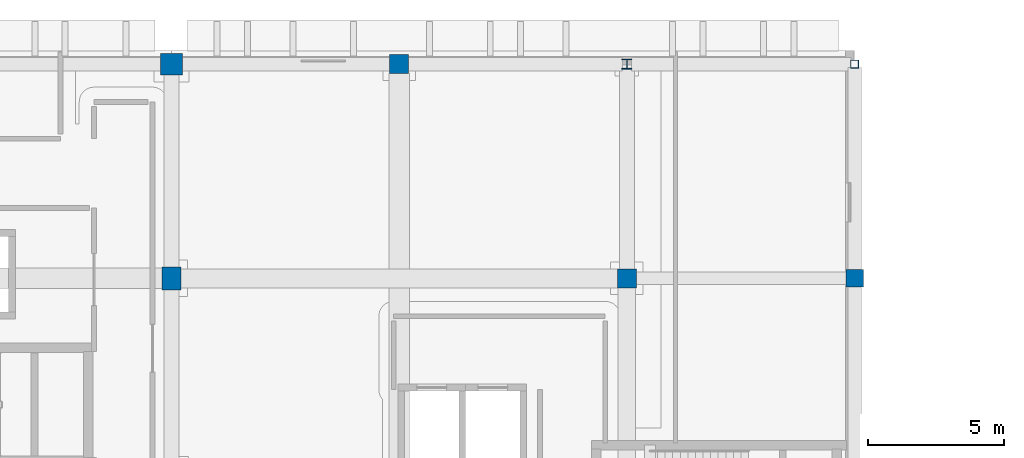
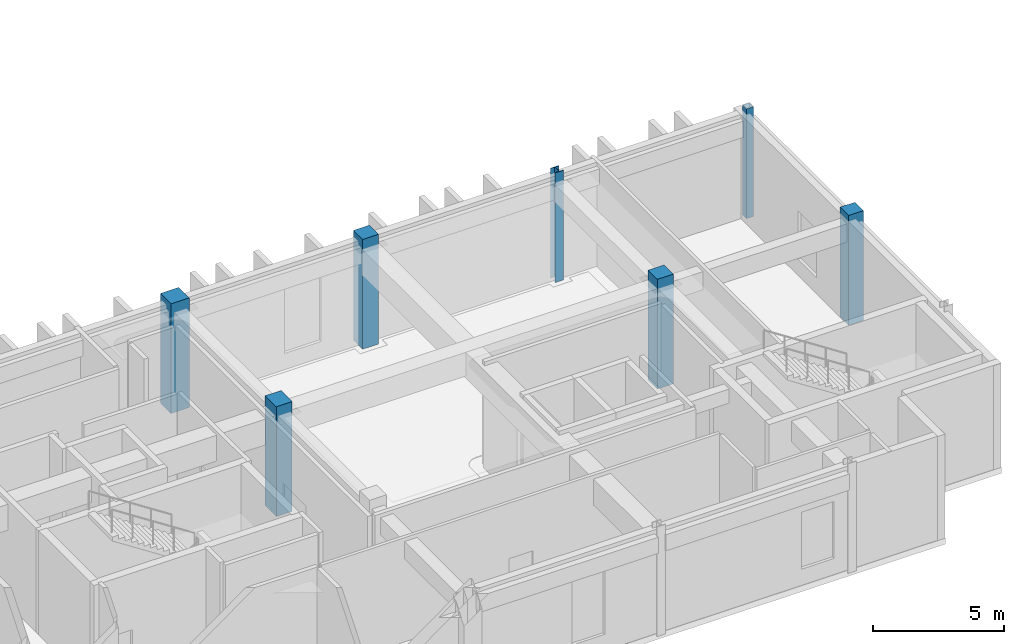
# One storey, part 8 of 78: 7 columns.
"""IFC4 building model written with IfcOpenShell, lengths in metres."""

import ifcopenshell
import ifcopenshell.guid

model = None  # the IFC model being written
_history = None  # IfcOwnerHistory: only IFC2X3 demands one
_inside = {}  # id of a spatial element -> (the spatial element, [elements in it])
_under = {}  # id of a project, library or spatial element -> (it, [spatial elements below it])
_declared = {}  # id of a project -> (the project, [libraries it declares])
_typed = {}  # id of a type object -> (the type object, [elements of that type])
_made_of = {}  # id of a material, layer set ... -> (it, [elements and type objects made of it])


def new_model(schema):
    """Start an empty IFC model of exactly this schema.

    Asked for "IFC4X3", IfcOpenShell would pick the latest addendum, in which some entities
    have other attributes; the version numbers below select the first issue.
    IFC2X3 requires an IfcOwnerHistory on every rooted entity: one is made here for all.
    """
    global model, _history
    if schema == "IFC4X3":
        model = ifcopenshell.file(schema_version=(4, 3, 0, 0))
    else:
        model = ifcopenshell.file(schema=schema)
    _inside.clear()
    _under.clear()
    _declared.clear()
    _typed.clear()
    _made_of.clear()
    _history = None
    if model.schema == "IFC2X3":
        org = make("IfcOrganization", Name="unknown")
        user = make(
            "IfcPersonAndOrganization",
            ThePerson=make("IfcPerson", FamilyName="unknown"),
            TheOrganization=org,
        )
        app = make(
            "IfcApplication",
            ApplicationDeveloper=org,
            Version="unknown",
            ApplicationFullName="unknown",
            ApplicationIdentifier="unknown",
        )
        _history = make(
            "IfcOwnerHistory",
            OwningUser=user,
            OwningApplication=app,
            ChangeAction="ADDED",
            CreationDate=0,
        )
    return model


def make(cls, **values):
    """One entity of the class cls with the attributes given. An attribute that is None is left unset."""
    return model.create_entity(
        cls, **{name: value for name, value in values.items() if value is not None}
    )


def rooted(cls, **values):
    """An entity with a GlobalId (a new one), such as an element, a storey or a relation."""
    return make(cls, GlobalId=ifcopenshell.guid.new(), OwnerHistory=_history, **values)


def si_unit(unit_type, name, prefix=None):
    """IfcSIUnit, for example si_unit("LENGTHUNIT", "METRE", prefix="MILLI")."""
    return make("IfcSIUnit", UnitType=unit_type, Prefix=prefix, Name=name)


def assignment(units):
    """IfcUnitAssignment: the units of a project."""
    return None if units is None else make("IfcUnitAssignment", Units=units)


def point(xyz):
    """IfcCartesianPoint."""
    return None if xyz is None else make("IfcCartesianPoint", Coordinates=xyz)


def direction(xyz):
    """IfcDirection."""
    return None if xyz is None else make("IfcDirection", DirectionRatios=xyz)


def frame(location, z_axis=None, x_axis=None):
    """IfcAxis2Placement3D, a coordinate frame: its origin and axes. An axis left out is left unset."""
    return make(
        "IfcAxis2Placement3D",
        Location=point(location),
        Axis=direction(z_axis),
        RefDirection=direction(x_axis),
    )


def frame_2d(location, x_axis=None):
    """IfcAxis2Placement2D, a coordinate frame in the plane: its origin and x axis."""
    return make(
        "IfcAxis2Placement2D", Location=point(location), RefDirection=direction(x_axis)
    )


def origin():
    """The frame at (0, 0, 0) with its axes left unset."""
    return frame((0.0, 0.0, 0.0))


def origin_2d():
    """The frame at (0, 0) in the plane with its x axis left unset."""
    return frame_2d((0.0, 0.0))


def place(relative_to, where):
    """IfcLocalPlacement: puts the frame where relative to a parent placement (None: the world)."""
    return make(
        "IfcLocalPlacement", PlacementRelTo=relative_to, RelativePlacement=where
    )


def context(
    kind, dimensions, precision=None, world=None, true_north=None, identifier=None
):
    """IfcGeometricRepresentationContext, for example the 3D "Model" context."""
    return make(
        "IfcGeometricRepresentationContext",
        ContextIdentifier=identifier,
        ContextType=kind,
        CoordinateSpaceDimension=dimensions,
        Precision=precision,
        WorldCoordinateSystem=world,
        TrueNorth=true_north,
    )


def subcontext(parent, identifier, kind, view, scale=None):
    """IfcGeometricRepresentationSubContext, for example "Body" below "Model"."""
    return make(
        "IfcGeometricRepresentationSubContext",
        ContextIdentifier=identifier,
        ContextType=kind,
        ParentContext=parent,
        TargetScale=scale,
        TargetView=view,
    )


def project(units=None, contexts=None):
    """IfcProject with its units and contexts."""
    return rooted(
        "IfcProject",
        Name="project",
        RepresentationContexts=contexts,
        UnitsInContext=assignment(units),
    )


def spatial(cls, under=None, at=None, **own):
    """A site, building, storey or space (cls), placed at a placement, below another one or the project."""
    s = rooted(cls, ObjectPlacement=at, **own)
    if under is not None:
        _under.setdefault(under.id(), (under, []))[1].append(s)
    return s


def profile(cls, at=None, kind="AREA", **sizes):
    """A parametric profile (cls). Its sizes go by their IFC names, for example OverallWidth=200.0."""
    return make(cls, ProfileType=kind, Position=at, **sizes)


def rectangle(**sizes):
    """IfcRectangleProfileDef."""
    return profile("IfcRectangleProfileDef", **sizes)


def hollow_rectangle(**sizes):
    """IfcRectangleHollowProfileDef."""
    return profile("IfcRectangleHollowProfileDef", **sizes)


def i_section(**sizes):
    """IfcIShapeProfileDef."""
    return profile("IfcIShapeProfileDef", **sizes)


def extrude(swept, where, along, depth):
    """IfcExtrudedAreaSolid: the profile swept, set in the frame where, extruded along a direction by depth."""
    return make(
        "IfcExtrudedAreaSolid",
        SweptArea=swept,
        Position=where,
        ExtrudedDirection=direction(along),
        Depth=depth,
    )


def shape(context_of_items, identifier, shape_type, items):
    """IfcShapeRepresentation: the items that make up one representation, for example the "Body"."""
    return make(
        "IfcShapeRepresentation",
        ContextOfItems=context_of_items,
        RepresentationIdentifier=identifier,
        RepresentationType=shape_type,
        Items=items,
    )


def material(Name=None, Category=None):
    """IfcMaterial."""
    return make("IfcMaterial", Name=Name, Category=Category)


def material_profile(
    of_material, cross_section, Name=None, Category=None, Priority=None
):
    """IfcMaterialProfile: a cross section and its material."""
    return make(
        "IfcMaterialProfile",
        Name=Name,
        Material=of_material,
        Profile=cross_section,
        Priority=Priority,
        Category=Category,
    )


def profile_set(profiles, Name=None, composite=None):
    """IfcMaterialProfileSet."""
    return make(
        "IfcMaterialProfileSet",
        Name=Name,
        MaterialProfiles=profiles,
        CompositeProfile=composite,
    )


def made_of(thing, what):
    """Note that an element or type object is made of a material, layer set ...; save() writes the relation."""
    if what is not None:
        _made_of.setdefault(what.id(), (what, []))[1].append(thing)
    return thing


def type_object(cls, material=None, **own):
    """A type object (cls), such as IfcWallType, which elements share."""
    return made_of(rooted(cls, **own), material)


def element(
    cls,
    number,
    at=None,
    inside=None,
    cuts=None,
    type_object=None,
    material=None,
    context=None,
    identifier="Body",
    shape_type=None,
    held_by="IfcProductDefinitionShape",
    body=None,
    shapes=None,
    **own,
):
    """One element of the class cls, such as IfcWall. Its Tag is "e" and its number.

    at: its placement. inside: the storey or other place that contains it. cuts: it is an
    opening in that element (IfcRelVoidsElement). A single representation is given by context,
    identifier, shape_type and body (its items); several are given by shapes. held_by: the class
    of the entity that holds the representations. save() writes the other relations.
    """
    e = rooted(cls, Tag="e%d" % number, ObjectPlacement=at, **own)
    if body is not None:
        shapes = [shape(context, identifier, shape_type, body)]
    if shapes is not None:
        e.Representation = make(held_by, Representations=shapes)
    if inside is not None:
        _inside.setdefault(inside.id(), (inside, []))[1].append(e)
    if cuts is not None:
        rooted(
            "IfcRelVoidsElement", RelatingBuildingElement=cuts, RelatedOpeningElement=e
        )
    if type_object is not None:
        _typed.setdefault(type_object.id(), (type_object, []))[1].append(e)
    return made_of(e, material)


def aggregate(whole, parts):
    """IfcRelAggregates: a whole, such as a stair, and the parts it consists of."""
    return rooted("IfcRelAggregates", RelatingObject=whole, RelatedObjects=parts)


def save(model, path):
    """Write the relations noted so far, then the file.

    IfcRelAggregates (storeys below a building ...), IfcRelContainedInSpatialStructure (elements
    in a storey), IfcRelDefinesByType, IfcRelAssociatesMaterial and IfcRelDeclares: one each for
    every whole, place, type object, material and project.
    """
    for whole, parts in _under.values():
        aggregate(whole, parts)
    for where, things in _inside.values():
        rooted(
            "IfcRelContainedInSpatialStructure",
            RelatedElements=things,
            RelatingStructure=where,
        )
    for kind, things in _typed.values():
        rooted("IfcRelDefinesByType", RelatedObjects=things, RelatingType=kind)
    for what, things in _made_of.values():
        rooted("IfcRelAssociatesMaterial", RelatedObjects=things, RelatingMaterial=what)
    for by, libraries in _declared.values():
        rooted("IfcRelDeclares", RelatingContext=by, RelatedDefinitions=libraries)
    model.write(path)


model = new_model("IFC4")

# Units and contexts
model_context = context("Model", 3, precision=1e-05, world=origin(), true_north=direction((0.0, 1.0)))
body_context = subcontext(model_context, "Body", "Model", "MODEL_VIEW")
ifc_project = project(units=[si_unit("LENGTHUNIT", "METRE"), si_unit("AREAUNIT", "SQUARE_METRE"), si_unit("VOLUMEUNIT", "CUBIC_METRE"), si_unit("PLANEANGLEUNIT", "RADIAN"), si_unit("MASSUNIT", "GRAM", prefix="KILO")], contexts=[model_context])

# Site, building, storey
site_placement = place(None, origin())
site = spatial("IfcSite", under=ifc_project, at=site_placement, CompositionType="ELEMENT")
building_placement = place(site_placement, origin())
building = spatial("IfcBuilding", under=site, at=building_placement, Name="Quendrovan Civic Courthouse", CompositionType="ELEMENT")
storey_placement = place(building_placement, frame((0.0, 0.0, 20.39990234375)))
storey = spatial("IfcBuildingStorey", under=building, at=storey_placement, Name="L05", CompositionType="ELEMENT", Elevation=20.39990234375)

# Columns
ifc_material_1 = material(Name="Concrete C40/50", Category="concrete")
ifc_material_profile_1 = material_profile(ifc_material_1, rectangle(XDim=0.699951171875, YDim=0.85009765625, at=origin_2d()), Name="RC-COL-700x850")
ifc_profile_set_1 = profile_set([ifc_material_profile_1], Name="Concrete C40/50")
column_type_1 = type_object("IfcColumnType", Name="COL-RC-700x850", PredefinedType="COLUMN", material=ifc_profile_set_1)
column_1_placement = place(storey_placement, frame((67.199951171875, 102.0, 0.0), z_axis=(0.0, 0.0, 1.0), x_axis=(1.0, 0.0, 0.0)))
element("IfcColumn", 1, at=column_1_placement, inside=storey, type_object=column_type_1, Name="L05 Column 9-P", PredefinedType="COLUMN", context=body_context, shape_type="SweptSolid", body=[
    extrude(rectangle(XDim=0.699951171875, YDim=0.85009765625, at=origin_2d()), origin(), (0.0, 0.0, 1.0), 5.10009765625),
])
ifc_material_2 = material(Name="Concrete C45/55", Category="concrete")
ifc_material_profile_2 = material_profile(ifc_material_2, rectangle(XDim=0.64990234375, YDim=0.64990234375, at=origin_2d()), Name="RC-COL-650x650")
ifc_profile_set_2 = profile_set([ifc_material_profile_2], Name="Concrete C45/55")
column_type_2 = type_object("IfcColumnType", Name="COL-RC650", PredefinedType="COLUMN", material=ifc_profile_set_2)
column_2_placement = place(storey_placement, frame((92.39990234375, 102.0, 0.0), z_axis=(0.0, 0.0, 1.0), x_axis=(1.0, 0.0, 0.0)))
element("IfcColumn", 2, at=column_2_placement, inside=storey, type_object=column_type_2, Name="L05 Column 12-P", PredefinedType="COLUMN", context=body_context, shape_type="SweptSolid", body=[
    extrude(rectangle(XDim=0.64990234375, YDim=0.64990234375, at=origin_2d()), origin(), (0.0, 0.0, 1.0), 5.10009765625),
])
ifc_material_profile_3 = material_profile(ifc_material_2, rectangle(XDim=0.699951171875, YDim=0.699951171875, at=origin_2d()), Name="RC-COL-700x700")
ifc_profile_set_3 = profile_set([ifc_material_profile_3], Name="Concrete C45/55")
column_type_3 = type_object("IfcColumnType", Name="COL-RC700", PredefinedType="COLUMN", material=ifc_profile_set_3)
for number, where, z_axis, x_axis, name in (
    (3, (75.60009765625, 109.89990234375, 0.0), (0.0, 0.0, 1.0), (1.0, 0.0, 0.0), "L05 Column 10-Q"),
    (4, (84.0, 102.0, 0.0), (0.0, 0.0, 1.0), (1.0, 0.0, 0.0), "L05 Column 11-P"),
):
    element("IfcColumn", number, at=place(storey_placement, frame(where, z_axis=z_axis, x_axis=x_axis)), inside=storey, type_object=column_type_3, Name=name, PredefinedType="COLUMN", context=body_context, shape_type="SweptSolid", body=[
        extrude(rectangle(XDim=0.699951171875, YDim=0.699951171875, at=origin_2d()), origin(), (0.0, 0.0, 1.0), 5.10009765625),
    ])
ifc_material_profile_4 = material_profile(ifc_material_2, rectangle(XDim=0.800048828125, YDim=0.800048828125, at=origin_2d()), Name="RC-COL-800x800")
ifc_profile_set_4 = profile_set([ifc_material_profile_4], Name="Concrete C45/55")
column_type_4 = type_object("IfcColumnType", Name="COL-RC800", PredefinedType="COLUMN", material=ifc_profile_set_4)
column_3_placement = place(storey_placement, frame((67.199951171875, 109.89990234375, 0.0), z_axis=(0.0, 0.0, 1.0), x_axis=(1.0, 0.0, 0.0)))
element("IfcColumn", 5, at=column_3_placement, inside=storey, type_object=column_type_4, Name="L05 Column 9-Q", PredefinedType="COLUMN", context=body_context, shape_type="SweptSolid", body=[
    extrude(rectangle(XDim=0.800048828125, YDim=0.800048828125, at=origin_2d()), origin(), (0.0, 0.0, 1.0), 5.10009765625),
])
ifc_material_3 = material(Name="Steel ASTM A500 Grade C", Category="steel")
ifc_material_profile_5 = material_profile(ifc_material_3, hollow_rectangle(XDim=0.300048828125, YDim=0.300048828125, WallThickness=0.011962890625, at=origin_2d()), Name="HSS300x300x12")
ifc_profile_set_5 = profile_set([ifc_material_profile_5], Name="Steel ASTM A500 Grade C")
column_type_5 = type_object("IfcColumnType", Name="COL-STL-HSS300S", PredefinedType="COLUMN", material=ifc_profile_set_5)
column_4_placement = place(storey_placement, frame((92.39990234375, 109.89990234375, 0.0), z_axis=(0.0, 0.0, 1.0), x_axis=(1.0, 0.0, 0.0)))
element("IfcColumn", 6, at=column_4_placement, inside=storey, type_object=column_type_5, Name="L05 Column 12-Q", PredefinedType="COLUMN", context=body_context, shape_type="SweptSolid", body=[
    extrude(hollow_rectangle(XDim=0.300048828125, YDim=0.300048828125, WallThickness=0.011962890625, at=origin_2d()), origin(), (0.0, 0.0, 1.0), 5.10009765625),
])
ifc_material_4 = material(Name="Steel ASTM A992 Grade 50", Category="steel")
ifc_material_profile_6 = material_profile(ifc_material_4, i_section(OverallWidth=0.3740234375, OverallDepth=0.3720703125, WebThickness=0.016357421875, FlangeThickness=0.026123046875, at=origin_2d()), Name="W14X132")
ifc_profile_set_6 = profile_set([ifc_material_profile_6], Name="Steel ASTM A992 Grade 50")
column_type_6 = type_object("IfcColumnType", Name="COL-STL-W14X132", PredefinedType="COLUMN", material=ifc_profile_set_6)
column_5_placement = place(storey_placement, frame((84.0, 109.89990234375, 0.0), z_axis=(0.0, 0.0, 1.0), x_axis=(1.0, 0.0, 0.0)))
element("IfcColumn", 7, at=column_5_placement, inside=storey, type_object=column_type_6, Name="L05 Column 11-Q", PredefinedType="COLUMN", context=body_context, shape_type="SweptSolid", body=[
    extrude(i_section(OverallWidth=0.3740234375, OverallDepth=0.3720703125, WebThickness=0.016357421875, FlangeThickness=0.026123046875, at=origin_2d()), origin(), (0.0, 0.0, 1.0), 5.10009765625),
])

save(model, "model.ifc")
